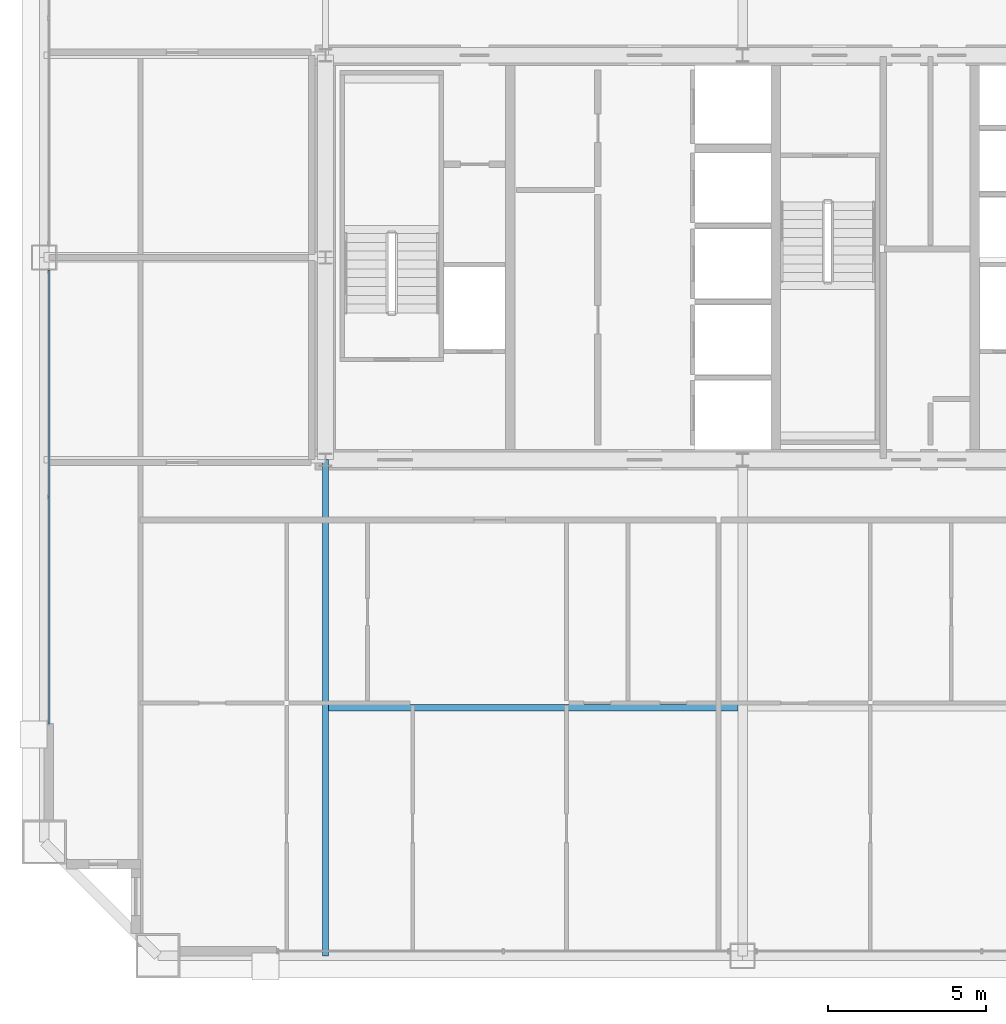
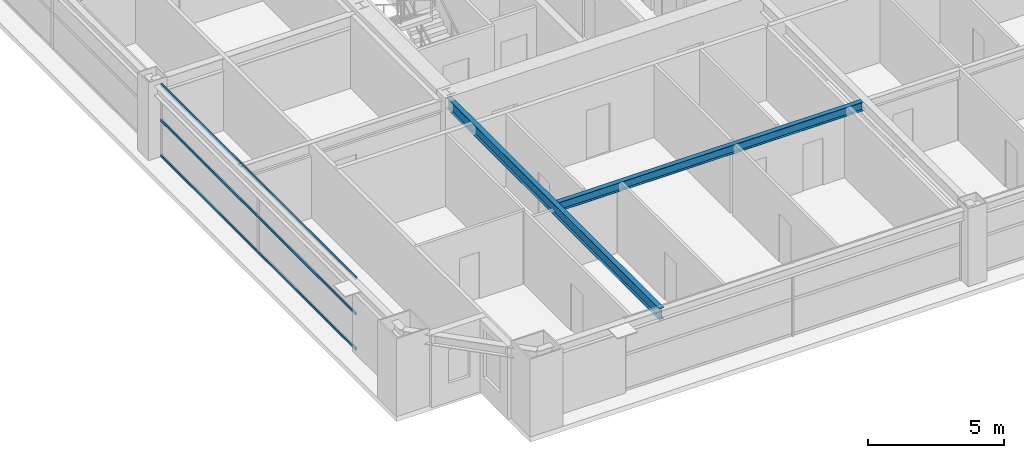
# One storey, part 9 of 38: 3 members, 2 beams, 1 element without a shape of its own.
"""IFC4 building model written with IfcOpenShell, lengths in metres."""

import ifcopenshell
import ifcopenshell.guid

model = None  # the IFC model being written
_history = None  # IfcOwnerHistory: only IFC2X3 demands one
_inside = {}  # id of a spatial element -> (the spatial element, [elements in it])
_under = {}  # id of a project, library or spatial element -> (it, [spatial elements below it])
_declared = {}  # id of a project -> (the project, [libraries it declares])
_typed = {}  # id of a type object -> (the type object, [elements of that type])
_made_of = {}  # id of a material, layer set ... -> (it, [elements and type objects made of it])


def new_model(schema):
    """Start an empty IFC model of exactly this schema.

    Asked for "IFC4X3", IfcOpenShell would pick the latest addendum, in which some entities
    have other attributes; the version numbers below select the first issue.
    IFC2X3 requires an IfcOwnerHistory on every rooted entity: one is made here for all.
    """
    global model, _history
    if schema == "IFC4X3":
        model = ifcopenshell.file(schema_version=(4, 3, 0, 0))
    else:
        model = ifcopenshell.file(schema=schema)
    _inside.clear()
    _under.clear()
    _declared.clear()
    _typed.clear()
    _made_of.clear()
    _history = None
    if model.schema == "IFC2X3":
        org = make("IfcOrganization", Name="unknown")
        user = make(
            "IfcPersonAndOrganization",
            ThePerson=make("IfcPerson", FamilyName="unknown"),
            TheOrganization=org,
        )
        app = make(
            "IfcApplication",
            ApplicationDeveloper=org,
            Version="unknown",
            ApplicationFullName="unknown",
            ApplicationIdentifier="unknown",
        )
        _history = make(
            "IfcOwnerHistory",
            OwningUser=user,
            OwningApplication=app,
            ChangeAction="ADDED",
            CreationDate=0,
        )
    return model


def make(cls, **values):
    """One entity of the class cls with the attributes given. An attribute that is None is left unset."""
    return model.create_entity(
        cls, **{name: value for name, value in values.items() if value is not None}
    )


def rooted(cls, **values):
    """An entity with a GlobalId (a new one), such as an element, a storey or a relation."""
    return make(cls, GlobalId=ifcopenshell.guid.new(), OwnerHistory=_history, **values)


def si_unit(unit_type, name, prefix=None):
    """IfcSIUnit, for example si_unit("LENGTHUNIT", "METRE", prefix="MILLI")."""
    return make("IfcSIUnit", UnitType=unit_type, Prefix=prefix, Name=name)


def assignment(units):
    """IfcUnitAssignment: the units of a project."""
    return None if units is None else make("IfcUnitAssignment", Units=units)


def point(xyz):
    """IfcCartesianPoint."""
    return None if xyz is None else make("IfcCartesianPoint", Coordinates=xyz)


def direction(xyz):
    """IfcDirection."""
    return None if xyz is None else make("IfcDirection", DirectionRatios=xyz)


def frame(location, z_axis=None, x_axis=None):
    """IfcAxis2Placement3D, a coordinate frame: its origin and axes. An axis left out is left unset."""
    return make(
        "IfcAxis2Placement3D",
        Location=point(location),
        Axis=direction(z_axis),
        RefDirection=direction(x_axis),
    )


def frame_2d(location, x_axis=None):
    """IfcAxis2Placement2D, a coordinate frame in the plane: its origin and x axis."""
    return make(
        "IfcAxis2Placement2D", Location=point(location), RefDirection=direction(x_axis)
    )


def origin():
    """The frame at (0, 0, 0) with its axes left unset."""
    return frame((0.0, 0.0, 0.0))


def origin_2d():
    """The frame at (0, 0) in the plane with its x axis left unset."""
    return frame_2d((0.0, 0.0))


def place(relative_to, where):
    """IfcLocalPlacement: puts the frame where relative to a parent placement (None: the world)."""
    return make(
        "IfcLocalPlacement", PlacementRelTo=relative_to, RelativePlacement=where
    )


def context(
    kind, dimensions, precision=None, world=None, true_north=None, identifier=None
):
    """IfcGeometricRepresentationContext, for example the 3D "Model" context."""
    return make(
        "IfcGeometricRepresentationContext",
        ContextIdentifier=identifier,
        ContextType=kind,
        CoordinateSpaceDimension=dimensions,
        Precision=precision,
        WorldCoordinateSystem=world,
        TrueNorth=true_north,
    )


def subcontext(parent, identifier, kind, view, scale=None):
    """IfcGeometricRepresentationSubContext, for example "Body" below "Model"."""
    return make(
        "IfcGeometricRepresentationSubContext",
        ContextIdentifier=identifier,
        ContextType=kind,
        ParentContext=parent,
        TargetScale=scale,
        TargetView=view,
    )


def project(units=None, contexts=None):
    """IfcProject with its units and contexts."""
    return rooted(
        "IfcProject",
        Name="project",
        RepresentationContexts=contexts,
        UnitsInContext=assignment(units),
    )


def spatial(cls, under=None, at=None, **own):
    """A site, building, storey or space (cls), placed at a placement, below another one or the project."""
    s = rooted(cls, ObjectPlacement=at, **own)
    if under is not None:
        _under.setdefault(under.id(), (under, []))[1].append(s)
    return s


def profile(cls, at=None, kind="AREA", **sizes):
    """A parametric profile (cls). Its sizes go by their IFC names, for example OverallWidth=200.0."""
    return make(cls, ProfileType=kind, Position=at, **sizes)


def hollow_rectangle(**sizes):
    """IfcRectangleHollowProfileDef."""
    return profile("IfcRectangleHollowProfileDef", **sizes)


def i_section(**sizes):
    """IfcIShapeProfileDef."""
    return profile("IfcIShapeProfileDef", **sizes)


def extrude(swept, where, along, depth):
    """IfcExtrudedAreaSolid: the profile swept, set in the frame where, extruded along a direction by depth."""
    return make(
        "IfcExtrudedAreaSolid",
        SweptArea=swept,
        Position=where,
        ExtrudedDirection=direction(along),
        Depth=depth,
    )


def shape(context_of_items, identifier, shape_type, items):
    """IfcShapeRepresentation: the items that make up one representation, for example the "Body"."""
    return make(
        "IfcShapeRepresentation",
        ContextOfItems=context_of_items,
        RepresentationIdentifier=identifier,
        RepresentationType=shape_type,
        Items=items,
    )


def source(mapping_origin, context_of_items, identifier, shape_type, items):
    """IfcRepresentationMap: a shape defined once, which mapped items show again and again."""
    return make(
        "IfcRepresentationMap",
        MappingOrigin=mapping_origin,
        MappedRepresentation=shape(context_of_items, identifier, shape_type, items),
    )


def transform(
    local_origin,
    x_axis=None,
    y_axis=None,
    z_axis=None,
    scale=None,
    scale2=None,
    scale3=None,
    uniform=True,
):
    """IfcCartesianTransformationOperator3D, or its non-uniform kind. x_axis, y_axis, z_axis: its Axis1, 2, 3."""
    if uniform:
        return make(
            "IfcCartesianTransformationOperator3D",
            Axis1=direction(x_axis),
            Axis2=direction(y_axis),
            LocalOrigin=point(local_origin),
            Scale=scale,
            Axis3=direction(z_axis),
        )
    return make(
        "IfcCartesianTransformationOperator3DnonUniform",
        Axis1=direction(x_axis),
        Axis2=direction(y_axis),
        LocalOrigin=point(local_origin),
        Scale=scale,
        Axis3=direction(z_axis),
        Scale2=scale2,
        Scale3=scale3,
    )


def mapped(mapping_source, mapping_target):
    """IfcMappedItem: shows the shape of a source again, moved by a transform."""
    return make(
        "IfcMappedItem", MappingSource=mapping_source, MappingTarget=mapping_target
    )


def material(Name=None, Category=None):
    """IfcMaterial."""
    return make("IfcMaterial", Name=Name, Category=Category)


def layer(
    of_material, thickness, ventilated=None, Name=None, Category=None, Priority=None
):
    """IfcMaterialLayer: one layer of a wall or slab, of a material (None: an air gap)."""
    return make(
        "IfcMaterialLayer",
        Material=of_material,
        LayerThickness=thickness,
        IsVentilated=ventilated,
        Name=Name,
        Category=Category,
        Priority=Priority,
    )


def layer_set(layers, Name=None):
    """IfcMaterialLayerSet."""
    return make("IfcMaterialLayerSet", MaterialLayers=layers, LayerSetName=Name)


def material_profile(
    of_material, cross_section, Name=None, Category=None, Priority=None
):
    """IfcMaterialProfile: a cross section and its material."""
    return make(
        "IfcMaterialProfile",
        Name=Name,
        Material=of_material,
        Profile=cross_section,
        Priority=Priority,
        Category=Category,
    )


def profile_set(profiles, Name=None, composite=None):
    """IfcMaterialProfileSet."""
    return make(
        "IfcMaterialProfileSet",
        Name=Name,
        MaterialProfiles=profiles,
        CompositeProfile=composite,
    )


def made_of(thing, what):
    """Note that an element or type object is made of a material, layer set ...; save() writes the relation."""
    if what is not None:
        _made_of.setdefault(what.id(), (what, []))[1].append(thing)
    return thing


def type_object(cls, material=None, **own):
    """A type object (cls), such as IfcWallType, which elements share."""
    return made_of(rooted(cls, **own), material)


def element(
    cls,
    number,
    at=None,
    inside=None,
    cuts=None,
    type_object=None,
    material=None,
    context=None,
    identifier="Body",
    shape_type=None,
    held_by="IfcProductDefinitionShape",
    body=None,
    shapes=None,
    **own,
):
    """One element of the class cls, such as IfcWall. Its Tag is "e" and its number.

    at: its placement. inside: the storey or other place that contains it. cuts: it is an
    opening in that element (IfcRelVoidsElement). A single representation is given by context,
    identifier, shape_type and body (its items); several are given by shapes. held_by: the class
    of the entity that holds the representations. save() writes the other relations.
    """
    e = rooted(cls, Tag="e%d" % number, ObjectPlacement=at, **own)
    if body is not None:
        shapes = [shape(context, identifier, shape_type, body)]
    if shapes is not None:
        e.Representation = make(held_by, Representations=shapes)
    if inside is not None:
        _inside.setdefault(inside.id(), (inside, []))[1].append(e)
    if cuts is not None:
        rooted(
            "IfcRelVoidsElement", RelatingBuildingElement=cuts, RelatedOpeningElement=e
        )
    if type_object is not None:
        _typed.setdefault(type_object.id(), (type_object, []))[1].append(e)
    return made_of(e, material)


def aggregate(whole, parts):
    """IfcRelAggregates: a whole, such as a stair, and the parts it consists of."""
    return rooted("IfcRelAggregates", RelatingObject=whole, RelatedObjects=parts)


def save(model, path):
    """Write the relations noted so far, then the file.

    IfcRelAggregates (storeys below a building ...), IfcRelContainedInSpatialStructure (elements
    in a storey), IfcRelDefinesByType, IfcRelAssociatesMaterial and IfcRelDeclares: one each for
    every whole, place, type object, material and project.
    """
    for whole, parts in _under.values():
        aggregate(whole, parts)
    for where, things in _inside.values():
        rooted(
            "IfcRelContainedInSpatialStructure",
            RelatedElements=things,
            RelatingStructure=where,
        )
    for kind, things in _typed.values():
        rooted("IfcRelDefinesByType", RelatedObjects=things, RelatingType=kind)
    for what, things in _made_of.values():
        rooted("IfcRelAssociatesMaterial", RelatedObjects=things, RelatingMaterial=what)
    for by, libraries in _declared.values():
        rooted("IfcRelDeclares", RelatingContext=by, RelatedDefinitions=libraries)
    model.write(path)


model = new_model("IFC4")

# Units and contexts
model_context = context("Model", 3, precision=1e-05, world=origin(), true_north=direction((0.0, 1.0)))
body_context = subcontext(model_context, "Body", "Model", "MODEL_VIEW")
ifc_project = project(units=[si_unit("LENGTHUNIT", "METRE"), si_unit("AREAUNIT", "SQUARE_METRE"), si_unit("VOLUMEUNIT", "CUBIC_METRE"), si_unit("PLANEANGLEUNIT", "RADIAN"), si_unit("MASSUNIT", "GRAM", prefix="KILO"), si_unit("THERMODYNAMICTEMPERATUREUNIT", "KELVIN"), si_unit("POWERUNIT", "WATT")], contexts=[model_context])

# Site, building, storey
site_placement = place(None, origin())
site = spatial("IfcSite", under=ifc_project, at=site_placement, CompositionType="ELEMENT")
building_placement = place(site_placement, origin())
building = spatial("IfcBuilding", under=site, at=building_placement, Name="Yuzanri Waterfront Tower", CompositionType="ELEMENT")
storey_placement = place(building_placement, frame((0.0, 0.0, 195.0)))
storey = spatial("IfcBuildingStorey", under=building, at=storey_placement, Name="L51", CompositionType="ELEMENT", Elevation=195.0)

# Beams
ifc_material_1 = material(Name="Steel Q355B", Category="steel")
ifc_material_profile_1 = material_profile(ifc_material_1, i_section(OverallWidth=0.199951171875, OverallDepth=0.39990234375, WebThickness=0.008056640625, FlangeThickness=0.012939453125, at=origin_2d()), Name="HN 400x200x8x13")
ifc_profile_set_1 = profile_set([ifc_material_profile_1], Name="Steel Q355B")
beam_type_1 = type_object("IfcBeamType", Name="Floor Joist Q355B HN 400x200", PredefinedType="JOIST", material=ifc_profile_set_1)
shared_shape_1 = source(origin(), body_context, "Body", "SweptSolid", [
    extrude(i_section(OverallWidth=0.199951171875, OverallDepth=0.39990234375, WebThickness=0.008056640625, FlangeThickness=0.012939453125, at=origin_2d()), origin(), (0.0, 0.0, 1.0), 12.9501953125),
])
beam_1_placement = place(storey_placement, frame((23.89990234375, 11.550048828125, 3.080078125), z_axis=(1.0, 0.0, 0.0), x_axis=(0.0, 1.0, 0.0)))
element("IfcBeam", 1, at=beam_1_placement, inside=storey, type_object=beam_type_1, Name="L51 South Bay Joist W", PredefinedType="JOIST", context=body_context, shape_type="MappedRepresentation", body=[
    mapped(shared_shape_1, transform((0.0, 0.0, 0.0), scale=1.0)),
])
ifc_material_2 = material(Name="Steel Q355B", Category="steel")
ifc_material_profile_2 = material_profile(ifc_material_2, i_section(OverallWidth=0.199951171875, OverallDepth=0.5, WebThickness=0.010009765625, FlangeThickness=0.01611328125, at=origin_2d()), Name="HN 500x200x10x16")
ifc_profile_set_2 = profile_set([ifc_material_profile_2], Name="Steel Q355B")
beam_type_2 = type_object("IfcBeamType", Name="Secondary Floor Beam Q355B HN 500x200", PredefinedType="BEAM", material=ifc_profile_set_2)
shared_shape_2 = source(origin(), body_context, "Body", "SweptSolid", [
    extrude(i_section(OverallWidth=0.199951171875, OverallDepth=0.5, WebThickness=0.010009765625, FlangeThickness=0.01611328125, at=origin_2d()), origin(), (0.0, 0.0, 1.0), 15.699951171875),
])
beam_2_placement = place(storey_placement, frame((23.800048828125, 19.39990234375, 3.030029296875), z_axis=(0.0, -1.0, 0.0), x_axis=(1.0, 0.0, 0.0)))
element("IfcBeam", 2, at=beam_2_placement, inside=storey, type_object=beam_type_2, Name="L51 South-West Core Line Beam", PredefinedType="BEAM", context=body_context, shape_type="MappedRepresentation", body=[
    mapped(shared_shape_2, transform((0.0, 0.0, 0.0), scale=1.0)),
])

# Curtain wall, members
ifc_material_3 = material(Name="Anodized Architectural Bronze", Category="metal")
ifc_layer = layer(ifc_material_3, 0.159912109375)
ifc_layer_set = layer_set([ifc_layer], Name="Anodized Architectural Bronze")
curtain_wall_type = type_object("IfcCurtainWallType", Name="Anodized Bronze Mid-Rise Residential Acoustic Unitized Curtain Wall 7200", PredefinedType="NOTDEFINED", material=ifc_layer_set)
curtain_wall_placement = place(storey_placement, origin())
curtain_wall = element("IfcCurtainWall", 3, at=curtain_wall_placement, inside=storey, type_object=curtain_wall_type, Name="L51 Curtain Wall CW-L51-WL", PredefinedType="NOTDEFINED")
ifc_material_4 = material(Name="Anodized Architectural Bronze", Category="metal")
ifc_material_profile_3 = material_profile(ifc_material_4, hollow_rectangle(XDim=0.06494140625, YDim=0.1201171875, WallThickness=0.00341796875, at=origin_2d()), Name="CWT 65x120")
ifc_profile_set_3 = profile_set([ifc_material_profile_3], Name="Anodized Architectural Bronze")
member_type = type_object("IfcMemberType", Name="Anodized Bronze Secondary Curtain-Wall Transom 65x120", PredefinedType="USERDEFINED", material=ifc_profile_set_3)
shared_shape_3 = source(origin(), body_context, "Body", "SweptSolid", [
    extrude(hollow_rectangle(XDim=0.06494140625, YDim=0.1201171875, WallThickness=0.00341796875, at=origin_2d()), origin(), (0.0, 0.0, 1.0), 14.349853515625),
])
member_1_placement = place(storey_placement, frame((15.050048828125, 11.050048828125, 0.050048828125), z_axis=(0.0, 1.0, 0.0), x_axis=(-1.0, 0.0, 0.0)))
member_1 = element("IfcMember", 4, at=member_1_placement, type_object=member_type, Name="CW-L51-WL Transom 1", ObjectType="TRANSOM", PredefinedType="USERDEFINED", context=body_context, shape_type="MappedRepresentation", body=[
    mapped(shared_shape_3, transform((0.0, 0.0, 0.0), scale=1.0)),
])
member_2_placement = place(storey_placement, frame((15.050048828125, 11.050048828125, 1.639892578125), z_axis=(0.0, 1.0, 0.0), x_axis=(-1.0, 0.0, 0.0)))
member_2 = element("IfcMember", 5, at=member_2_placement, type_object=member_type, Name="CW-L51-WL Transom 2", ObjectType="TRANSOM", PredefinedType="USERDEFINED", context=body_context, shape_type="MappedRepresentation", body=[
    mapped(shared_shape_3, transform((0.0, 0.0, 0.0), scale=1.0)),
])
member_3_placement = place(storey_placement, frame((15.050048828125, 11.050048828125, 3.22998046875), z_axis=(0.0, 1.0, 0.0), x_axis=(-1.0, 0.0, 0.0)))
member_3 = element("IfcMember", 6, at=member_3_placement, type_object=member_type, Name="CW-L51-WL Transom 3", ObjectType="TRANSOM", PredefinedType="USERDEFINED", context=body_context, shape_type="MappedRepresentation", body=[
    mapped(shared_shape_3, transform((0.0, 0.0, 0.0), scale=1.0)),
])
aggregate(curtain_wall, [member_1, member_2, member_3])

save(model, "model.ifc")
